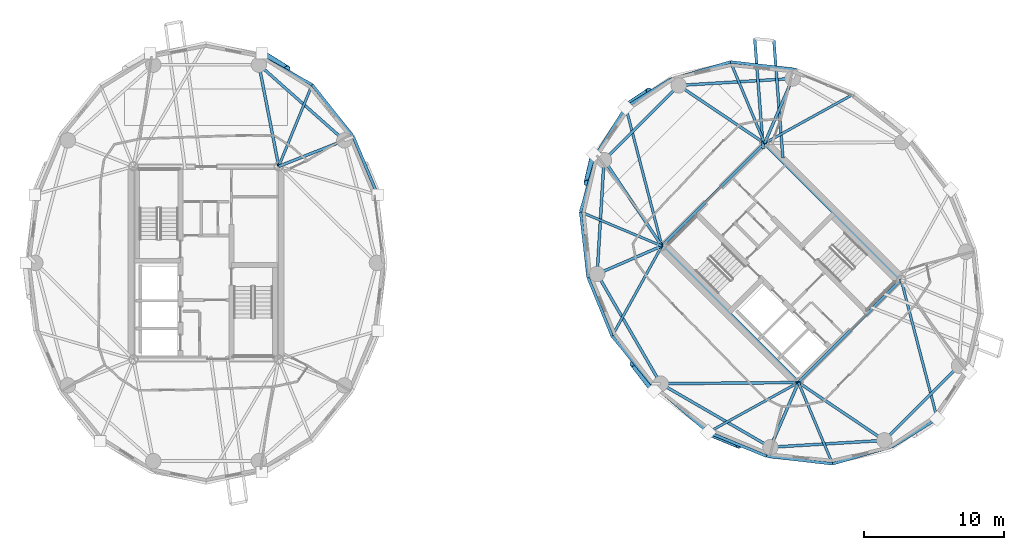
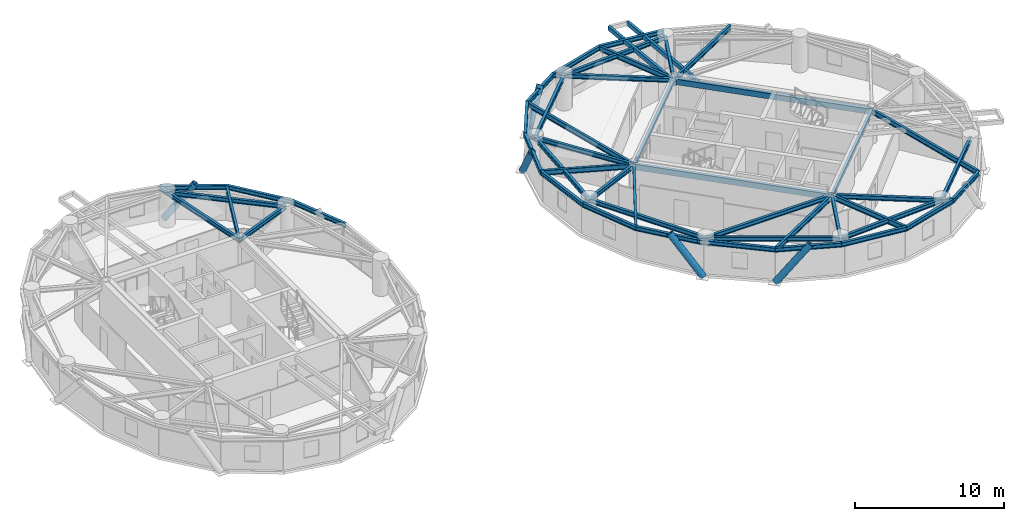
# One storey, part 4 of 14: 48 beams, 5 members.
"""IFC4 building model written with IfcOpenShell, lengths in metres."""

import ifcopenshell
import ifcopenshell.guid

model = None  # the IFC model being written
_history = None  # IfcOwnerHistory: only IFC2X3 demands one
_inside = {}  # id of a spatial element -> (the spatial element, [elements in it])
_under = {}  # id of a project, library or spatial element -> (it, [spatial elements below it])
_declared = {}  # id of a project -> (the project, [libraries it declares])
_typed = {}  # id of a type object -> (the type object, [elements of that type])
_made_of = {}  # id of a material, layer set ... -> (it, [elements and type objects made of it])


def new_model(schema):
    """Start an empty IFC model of exactly this schema.

    Asked for "IFC4X3", IfcOpenShell would pick the latest addendum, in which some entities
    have other attributes; the version numbers below select the first issue.
    IFC2X3 requires an IfcOwnerHistory on every rooted entity: one is made here for all.
    """
    global model, _history
    if schema == "IFC4X3":
        model = ifcopenshell.file(schema_version=(4, 3, 0, 0))
    else:
        model = ifcopenshell.file(schema=schema)
    _inside.clear()
    _under.clear()
    _declared.clear()
    _typed.clear()
    _made_of.clear()
    _history = None
    if model.schema == "IFC2X3":
        org = make("IfcOrganization", Name="unknown")
        user = make(
            "IfcPersonAndOrganization",
            ThePerson=make("IfcPerson", FamilyName="unknown"),
            TheOrganization=org,
        )
        app = make(
            "IfcApplication",
            ApplicationDeveloper=org,
            Version="unknown",
            ApplicationFullName="unknown",
            ApplicationIdentifier="unknown",
        )
        _history = make(
            "IfcOwnerHistory",
            OwningUser=user,
            OwningApplication=app,
            ChangeAction="ADDED",
            CreationDate=0,
        )
    return model


def make(cls, **values):
    """One entity of the class cls with the attributes given. An attribute that is None is left unset."""
    return model.create_entity(
        cls, **{name: value for name, value in values.items() if value is not None}
    )


def rooted(cls, **values):
    """An entity with a GlobalId (a new one), such as an element, a storey or a relation."""
    return make(cls, GlobalId=ifcopenshell.guid.new(), OwnerHistory=_history, **values)


def si_unit(unit_type, name, prefix=None):
    """IfcSIUnit, for example si_unit("LENGTHUNIT", "METRE", prefix="MILLI")."""
    return make("IfcSIUnit", UnitType=unit_type, Prefix=prefix, Name=name)


def assignment(units):
    """IfcUnitAssignment: the units of a project."""
    return None if units is None else make("IfcUnitAssignment", Units=units)


def point(xyz):
    """IfcCartesianPoint."""
    return None if xyz is None else make("IfcCartesianPoint", Coordinates=xyz)


def direction(xyz):
    """IfcDirection."""
    return None if xyz is None else make("IfcDirection", DirectionRatios=xyz)


def frame(location, z_axis=None, x_axis=None):
    """IfcAxis2Placement3D, a coordinate frame: its origin and axes. An axis left out is left unset."""
    return make(
        "IfcAxis2Placement3D",
        Location=point(location),
        Axis=direction(z_axis),
        RefDirection=direction(x_axis),
    )


def frame_2d(location, x_axis=None):
    """IfcAxis2Placement2D, a coordinate frame in the plane: its origin and x axis."""
    return make(
        "IfcAxis2Placement2D", Location=point(location), RefDirection=direction(x_axis)
    )


def origin():
    """The frame at (0, 0, 0) with its axes left unset."""
    return frame((0.0, 0.0, 0.0))


def origin_2d():
    """The frame at (0, 0) in the plane with its x axis left unset."""
    return frame_2d((0.0, 0.0))


def place(relative_to, where):
    """IfcLocalPlacement: puts the frame where relative to a parent placement (None: the world)."""
    return make(
        "IfcLocalPlacement", PlacementRelTo=relative_to, RelativePlacement=where
    )


def context(
    kind, dimensions, precision=None, world=None, true_north=None, identifier=None
):
    """IfcGeometricRepresentationContext, for example the 3D "Model" context."""
    return make(
        "IfcGeometricRepresentationContext",
        ContextIdentifier=identifier,
        ContextType=kind,
        CoordinateSpaceDimension=dimensions,
        Precision=precision,
        WorldCoordinateSystem=world,
        TrueNorth=true_north,
    )


def subcontext(parent, identifier, kind, view, scale=None):
    """IfcGeometricRepresentationSubContext, for example "Body" below "Model"."""
    return make(
        "IfcGeometricRepresentationSubContext",
        ContextIdentifier=identifier,
        ContextType=kind,
        ParentContext=parent,
        TargetScale=scale,
        TargetView=view,
    )


def project(units=None, contexts=None):
    """IfcProject with its units and contexts."""
    return rooted(
        "IfcProject",
        Name="project",
        RepresentationContexts=contexts,
        UnitsInContext=assignment(units),
    )


def spatial(cls, under=None, at=None, **own):
    """A site, building, storey or space (cls), placed at a placement, below another one or the project."""
    s = rooted(cls, ObjectPlacement=at, **own)
    if under is not None:
        _under.setdefault(under.id(), (under, []))[1].append(s)
    return s


def profile(cls, at=None, kind="AREA", **sizes):
    """A parametric profile (cls). Its sizes go by their IFC names, for example OverallWidth=200.0."""
    return make(cls, ProfileType=kind, Position=at, **sizes)


def hollow_rectangle(**sizes):
    """IfcRectangleHollowProfileDef."""
    return profile("IfcRectangleHollowProfileDef", **sizes)


def hollow_circle(**sizes):
    """IfcCircleHollowProfileDef."""
    return profile("IfcCircleHollowProfileDef", **sizes)


def i_section(**sizes):
    """IfcIShapeProfileDef."""
    return profile("IfcIShapeProfileDef", **sizes)


def extrude(swept, where, along, depth):
    """IfcExtrudedAreaSolid: the profile swept, set in the frame where, extruded along a direction by depth."""
    return make(
        "IfcExtrudedAreaSolid",
        SweptArea=swept,
        Position=where,
        ExtrudedDirection=direction(along),
        Depth=depth,
    )


def shape(context_of_items, identifier, shape_type, items):
    """IfcShapeRepresentation: the items that make up one representation, for example the "Body"."""
    return make(
        "IfcShapeRepresentation",
        ContextOfItems=context_of_items,
        RepresentationIdentifier=identifier,
        RepresentationType=shape_type,
        Items=items,
    )


def material(Name=None, Category=None):
    """IfcMaterial."""
    return make("IfcMaterial", Name=Name, Category=Category)


def material_profile(
    of_material, cross_section, Name=None, Category=None, Priority=None
):
    """IfcMaterialProfile: a cross section and its material."""
    return make(
        "IfcMaterialProfile",
        Name=Name,
        Material=of_material,
        Profile=cross_section,
        Priority=Priority,
        Category=Category,
    )


def profile_set(profiles, Name=None, composite=None):
    """IfcMaterialProfileSet."""
    return make(
        "IfcMaterialProfileSet",
        Name=Name,
        MaterialProfiles=profiles,
        CompositeProfile=composite,
    )


def made_of(thing, what):
    """Note that an element or type object is made of a material, layer set ...; save() writes the relation."""
    if what is not None:
        _made_of.setdefault(what.id(), (what, []))[1].append(thing)
    return thing


def type_object(cls, material=None, **own):
    """A type object (cls), such as IfcWallType, which elements share."""
    return made_of(rooted(cls, **own), material)


def element(
    cls,
    number,
    at=None,
    inside=None,
    cuts=None,
    type_object=None,
    material=None,
    context=None,
    identifier="Body",
    shape_type=None,
    held_by="IfcProductDefinitionShape",
    body=None,
    shapes=None,
    **own,
):
    """One element of the class cls, such as IfcWall. Its Tag is "e" and its number.

    at: its placement. inside: the storey or other place that contains it. cuts: it is an
    opening in that element (IfcRelVoidsElement). A single representation is given by context,
    identifier, shape_type and body (its items); several are given by shapes. held_by: the class
    of the entity that holds the representations. save() writes the other relations.
    """
    e = rooted(cls, Tag="e%d" % number, ObjectPlacement=at, **own)
    if body is not None:
        shapes = [shape(context, identifier, shape_type, body)]
    if shapes is not None:
        e.Representation = make(held_by, Representations=shapes)
    if inside is not None:
        _inside.setdefault(inside.id(), (inside, []))[1].append(e)
    if cuts is not None:
        rooted(
            "IfcRelVoidsElement", RelatingBuildingElement=cuts, RelatedOpeningElement=e
        )
    if type_object is not None:
        _typed.setdefault(type_object.id(), (type_object, []))[1].append(e)
    return made_of(e, material)


def aggregate(whole, parts):
    """IfcRelAggregates: a whole, such as a stair, and the parts it consists of."""
    return rooted("IfcRelAggregates", RelatingObject=whole, RelatedObjects=parts)


def save(model, path):
    """Write the relations noted so far, then the file.

    IfcRelAggregates (storeys below a building ...), IfcRelContainedInSpatialStructure (elements
    in a storey), IfcRelDefinesByType, IfcRelAssociatesMaterial and IfcRelDeclares: one each for
    every whole, place, type object, material and project.
    """
    for whole, parts in _under.values():
        aggregate(whole, parts)
    for where, things in _inside.values():
        rooted(
            "IfcRelContainedInSpatialStructure",
            RelatedElements=things,
            RelatingStructure=where,
        )
    for kind, things in _typed.values():
        rooted("IfcRelDefinesByType", RelatedObjects=things, RelatingType=kind)
    for what, things in _made_of.values():
        rooted("IfcRelAssociatesMaterial", RelatedObjects=things, RelatingMaterial=what)
    for by, libraries in _declared.values():
        rooted("IfcRelDeclares", RelatingContext=by, RelatedDefinitions=libraries)
    model.write(path)


model = new_model("IFC4")

# Units and contexts
model_context = context("Model", 3, precision=1e-05, world=origin(), true_north=direction((0.0, 1.0)))
body_context = subcontext(model_context, "Body", "Model", "MODEL_VIEW")
ifc_project = project(units=[si_unit("LENGTHUNIT", "METRE"), si_unit("AREAUNIT", "SQUARE_METRE"), si_unit("VOLUMEUNIT", "CUBIC_METRE"), si_unit("PLANEANGLEUNIT", "RADIAN"), si_unit("MASSUNIT", "GRAM", prefix="KILO")], contexts=[model_context])

# Site, building, storey
site_placement = place(None, origin())
site = spatial("IfcSite", under=ifc_project, at=site_placement, CompositionType="ELEMENT")
building_placement = place(site_placement, origin())
building = spatial("IfcBuilding", under=site, at=building_placement, Name="Cununo Teusaquillo Station Towers", CompositionType="ELEMENT")
storey_placement = place(building_placement, frame((0.0, 0.0, 202.47998046875)))
storey = spatial("IfcBuildingStorey", under=building, at=storey_placement, Name="L64", CompositionType="ELEMENT", Elevation=202.47998046875)

# Beams
ifc_material_1 = material(Name="Steel EN 10025-2 S355J2", Category="steel")
ifc_material_profile_1 = material_profile(ifc_material_1, hollow_rectangle(XDim=0.199951171875, YDim=0.35009765625, WallThickness=0.013916015625, at=origin_2d()), Name="RHS 350x200x14")
ifc_profile_set_1 = profile_set([ifc_material_profile_1], Name="Steel EN 10025-2 S355J2")
beam_type_1 = type_object("IfcBeamType", Name="BM-BAL-CANT", PredefinedType="BEAM", material=ifc_profile_set_1)
beam_1_placement = place(storey_placement, frame((57.599853515625, 31.966064453125, 2.52490234375), z_axis=(-0.076963106063, 0.997033941401, 0.0), x_axis=(-0.997033941401, -0.076963106063, 0.0)))
element("IfcBeam", 1, at=beam_1_placement, inside=storey, type_object=beam_type_1, Name="L64 Tower B Balcony Cantilever Bracket 1A", PredefinedType="BEAM", context=body_context, shape_type="SweptSolid", body=[
    extrude(hollow_rectangle(XDim=0.199951171875, YDim=0.35009765625, WallThickness=0.013916015625, at=origin_2d()), origin(), (0.0, 0.0, 1.0), 8.403076171875),
])
beam_2_placement = place(storey_placement, frame((56.1982421875, 32.602783203125, 2.52490234375), z_axis=(-0.076982450804, 0.997032447952, 0.0), x_axis=(-0.997032447952, -0.076982450804, 0.0)))
element("IfcBeam", 2, at=beam_2_placement, inside=storey, type_object=beam_type_1, Name="L64 Tower B Balcony Cantilever Bracket 1B", PredefinedType="BEAM", context=body_context, shape_type="SweptSolid", body=[
    extrude(hollow_rectangle(XDim=0.199951171875, YDim=0.35009765625, WallThickness=0.013916015625, at=origin_2d()), origin(), (0.0, 0.0, 1.0), 7.89990234375),
])
ifc_material_2 = material(Name="Steel EN 10025-2 S355J2", Category="steel")
ifc_material_profile_2 = material_profile(ifc_material_2, hollow_rectangle(XDim=0.25, YDim=0.449951171875, WallThickness=0.01611328125, at=origin_2d()), Name="RHS 450x250x16")
ifc_profile_set_2 = profile_set([ifc_material_profile_2], Name="Steel EN 10025-2 S355J2")
beam_type_2 = type_object("IfcBeamType", Name="BM-COUP-1", PredefinedType="USERDEFINED", material=ifc_profile_set_2)
for number, where, z_axis, x_axis, name in (
    (3, (58.70556640625, 15.975830078125, 2.47509765625), (-0.707106781187, 0.707106781187, 0.0), (-0.707106781187, -0.707106781187, 0.0), "L64 Tower B Core Beam 1"),
    (4, (66.024169921875, 23.29443359375, 2.47509765625), (-0.707106781187, 0.707106781187, 0.0), (-0.707106781187, -0.707106781187, 0.0), "L64 Tower B Core Beam 2"),
):
    element("IfcBeam", number, at=place(storey_placement, frame(where, z_axis=z_axis, x_axis=x_axis)), inside=storey, type_object=beam_type_2, Name=name, ObjectType="COUPLING BEAM", PredefinedType="USERDEFINED", context=body_context, shape_type="SweptSolid", body=[
        extrude(hollow_rectangle(XDim=0.25, YDim=0.449951171875, WallThickness=0.01611328125, at=origin_2d()), origin(), (0.0, 0.0, 1.0), 13.760009765625),
    ])
ifc_material_3 = material(Name="Steel ASTM A572 Grade 50", Category="steel")
ifc_material_profile_3 = material_profile(ifc_material_3, i_section(OverallWidth=0.180908203125, OverallDepth=0.4169921875, WebThickness=0.010986328125, FlangeThickness=0.018310546875, FilletRadius=0.012939453125, at=origin_2d()), Name="W16X57")
ifc_profile_set_3 = profile_set([ifc_material_profile_3], Name="Steel ASTM A572 Grade 50")
beam_type_3 = type_object("IfcBeamType", Name="BM-JOIST-1", PredefinedType="JOIST", material=ifc_profile_set_3)
beam_3_placement = place(storey_placement, frame((21.675048828125, 31.3798828125, 2.491455078125), z_axis=(0.378576847217, 0.925569862707, 0.0), x_axis=(-0.925569862707, 0.378576847217, 0.0)))
element("IfcBeam", 5, at=beam_3_placement, inside=storey, type_object=beam_type_3, Name="L64 Tower A Radial Spandrel Joist V03", PredefinedType="JOIST", context=body_context, shape_type="SweptSolid", body=[
    extrude(i_section(OverallWidth=0.180908203125, OverallDepth=0.4169921875, WebThickness=0.010986328125, FlangeThickness=0.018310546875, FilletRadius=0.012939453125, at=origin_2d()), origin(), (0.0, 0.0, 1.0), 6.28125),
])
beam_4_placement = place(storey_placement, frame((56.29443359375, 33.024169921875, 2.491455078125), z_axis=(0.8753153358, 0.483552544108, 0.0), x_axis=(-0.483552544108, 0.8753153358, 0.0)))
element("IfcBeam", 6, at=beam_4_placement, inside=storey, type_object=beam_type_3, Name="L64 Tower B Radial Spandrel Joist V01", PredefinedType="JOIST", context=body_context, shape_type="SweptSolid", body=[
    extrude(i_section(OverallWidth=0.180908203125, OverallDepth=0.4169921875, WebThickness=0.010986328125, FlangeThickness=0.018310546875, FilletRadius=0.012939453125, at=origin_2d()), origin(), (0.0, 0.0, 1.0), 7.3330078125),
])
beam_5_placement = place(storey_placement, frame((56.29443359375, 33.024169921875, 2.491455078125), z_axis=(-0.386786389381, 0.922169338565, 0.0), x_axis=(-0.922169338565, -0.386786389381, 0.0)))
element("IfcBeam", 7, at=beam_5_placement, inside=storey, type_object=beam_type_3, Name="L64 Tower B Radial Spandrel Joist V03", PredefinedType="JOIST", context=body_context, shape_type="SweptSolid", body=[
    extrude(i_section(OverallWidth=0.180908203125, OverallDepth=0.4169921875, WebThickness=0.010986328125, FlangeThickness=0.018310546875, FilletRadius=0.012939453125, at=origin_2d()), origin(), (0.0, 0.0, 1.0), 6.281005859375),
])
beam_6_placement = place(storey_placement, frame((48.975830078125, 25.70556640625, 2.491455078125), z_axis=(-0.251559992432, 0.967841707206, 0.0), x_axis=(-0.967841707206, -0.251559992432, 0.0)))
element("IfcBeam", 8, at=beam_6_placement, inside=storey, type_object=beam_type_3, Name="L64 Tower B Radial Spandrel Joist V05", PredefinedType="JOIST", context=body_context, shape_type="SweptSolid", body=[
    extrude(i_section(OverallWidth=0.180908203125, OverallDepth=0.4169921875, WebThickness=0.010986328125, FlangeThickness=0.018310546875, FilletRadius=0.012939453125, at=origin_2d()), origin(), (0.0, 0.0, 1.0), 10.217529296875),
])
beam_7_placement = place(storey_placement, frame((48.975830078125, 25.70556640625, 2.491455078125), z_axis=(-0.922169338565, 0.386786389381, 0.0), x_axis=(-0.386786389381, -0.922169338565, 0.0)))
element("IfcBeam", 9, at=beam_7_placement, inside=storey, type_object=beam_type_3, Name="L64 Tower B Radial Spandrel Joist V07", PredefinedType="JOIST", context=body_context, shape_type="SweptSolid", body=[
    extrude(i_section(OverallWidth=0.180908203125, OverallDepth=0.4169921875, WebThickness=0.010986328125, FlangeThickness=0.018310546875, FilletRadius=0.012939453125, at=origin_2d()), origin(), (0.0, 0.0, 1.0), 6.281005859375),
])
for number, where, z_axis, x_axis, name in (
    (10, (48.975830078125, 25.70556640625, 2.491455078125), (-0.483552544108, -0.8753153358, 0.0), (0.8753153358, -0.483552544108, 0.0), "L64 Tower B Radial Spandrel Joist V09"),
    (11, (58.70556640625, 15.975830078125, 2.491455078125), (-0.8753153358, -0.483552544108, 0.0), (0.483552544108, -0.8753153358, 0.0), "L64 Tower B Radial Spandrel Joist V11"),
):
    element("IfcBeam", number, at=place(storey_placement, frame(where, z_axis=z_axis, x_axis=x_axis)), inside=storey, type_object=beam_type_3, Name=name, PredefinedType="JOIST", context=body_context, shape_type="SweptSolid", body=[
        extrude(i_section(OverallWidth=0.180908203125, OverallDepth=0.4169921875, WebThickness=0.010986328125, FlangeThickness=0.018310546875, FilletRadius=0.012939453125, at=origin_2d()), origin(), (0.0, 0.0, 1.0), 7.3330078125),
    ])
beam_8_placement = place(storey_placement, frame((58.70556640625, 15.975830078125, 2.491455078125), z_axis=(0.386786389381, -0.922169338565, 0.0), x_axis=(0.922169338565, 0.386786389381, 0.0)))
element("IfcBeam", 12, at=beam_8_placement, inside=storey, type_object=beam_type_3, Name="L64 Tower B Radial Spandrel Joist V13", PredefinedType="JOIST", context=body_context, shape_type="SweptSolid", body=[
    extrude(i_section(OverallWidth=0.180908203125, OverallDepth=0.4169921875, WebThickness=0.010986328125, FlangeThickness=0.018310546875, FilletRadius=0.012939453125, at=origin_2d()), origin(), (0.0, 0.0, 1.0), 6.281005859375),
])
beam_9_placement = place(storey_placement, frame((66.024169921875, 23.29443359375, 2.491455078125), z_axis=(0.251559992432, -0.967841707206, 0.0), x_axis=(0.967841707206, 0.251559992432, 0.0)))
element("IfcBeam", 13, at=beam_9_placement, inside=storey, type_object=beam_type_3, Name="L64 Tower B Radial Spandrel Joist V15", PredefinedType="JOIST", context=body_context, shape_type="SweptSolid", body=[
    extrude(i_section(OverallWidth=0.180908203125, OverallDepth=0.4169921875, WebThickness=0.010986328125, FlangeThickness=0.018310546875, FilletRadius=0.012939453125, at=origin_2d()), origin(), (0.0, 0.0, 1.0), 10.217529296875),
])
ifc_material_4 = material(Name="Steel ASTM A572 Grade 50", Category="steel")
ifc_material_profile_4 = material_profile(ifc_material_4, i_section(OverallWidth=0.2041015625, OverallDepth=0.35009765625, WebThickness=0.008544921875, FlangeThickness=0.01513671875, FilletRadius=0.011962890625, at=origin_2d()), Name="W14X48")
ifc_profile_set_4 = profile_set([ifc_material_profile_4], Name="Steel ASTM A572 Grade 50")
beam_type_4 = type_object("IfcBeamType", Name="BM-LINTEL-1", PredefinedType="LINTEL", material=ifc_profile_set_4)
for number, where, z_axis, x_axis, name in (
    (14, (58.70556640625, 15.975830078125, 2.52490234375), (0.707106781187, 0.707106781187, 0.0), (-0.707106781187, 0.707106781187, 0.0), "L64 Tower B Core Beam 3"),
    (15, (48.975830078125, 25.70556640625, 2.52490234375), (0.707106781187, 0.707106781187, 0.0), (-0.707106781187, 0.707106781187, 0.0), "L64 Tower B Core Beam 4"),
):
    element("IfcBeam", number, at=place(storey_placement, frame(where, z_axis=z_axis, x_axis=x_axis)), inside=storey, type_object=beam_type_4, Name=name, PredefinedType="LINTEL", context=body_context, shape_type="SweptSolid", body=[
        extrude(i_section(OverallWidth=0.2041015625, OverallDepth=0.35009765625, WebThickness=0.008544921875, FlangeThickness=0.01513671875, FilletRadius=0.011962890625, at=origin_2d()), origin(), (0.0, 0.0, 1.0), 10.35009765625),
    ])
ifc_material_5 = material(Name="Steel ASTM A572 Grade 50", Category="steel")
ifc_material_profile_5 = material_profile(ifc_material_5, i_section(OverallWidth=0.2041015625, OverallDepth=0.35009765625, WebThickness=0.008544921875, FlangeThickness=0.01513671875, FilletRadius=0.011962890625, at=origin_2d()), Name="W14X48")
ifc_profile_set_5 = profile_set([ifc_material_profile_5], Name="Steel ASTM A572 Grade 50")
beam_type_5 = type_object("IfcBeamType", Name="BM-RAD-G3", PredefinedType="BEAM", material=ifc_profile_set_5)
beam_10_placement = place(storey_placement, frame((21.675048828125, 31.3798828125, 2.52490234375), z_axis=(0.929864104313, 0.367903176814, 0.0), x_axis=(-0.367903176814, 0.929864104313, 0.0)))
element("IfcBeam", 16, at=beam_10_placement, inside=storey, type_object=beam_type_5, Name="L64 Tower A Radial Girder 02A", PredefinedType="BEAM", context=body_context, shape_type="SweptSolid", body=[
    extrude(i_section(OverallWidth=0.2041015625, OverallDepth=0.35009765625, WebThickness=0.008544921875, FlangeThickness=0.01513671875, FilletRadius=0.011962890625, at=origin_2d()), origin(), (0.0, 0.0, 1.0), 5.02490234375),
])
beam_11_placement = place(storey_placement, frame((21.675048828125, 31.3798828125, 2.52490234375), z_axis=(-0.191548487699, 0.981483151593, 0.0), x_axis=(-0.981483151593, -0.191548487699, 0.0)))
element("IfcBeam", 17, at=beam_11_placement, inside=storey, type_object=beam_type_5, Name="L64 Tower A Continuous Overhanging Radial Girder 03", PredefinedType="BEAM", context=body_context, shape_type="SweptSolid", body=[
    extrude(i_section(OverallWidth=0.2041015625, OverallDepth=0.35009765625, WebThickness=0.008544921875, FlangeThickness=0.01513671875, FilletRadius=0.011962890625, at=origin_2d()), origin(), (0.0, 0.0, 1.0), 8.1240234375),
])
beam_12_placement = place(storey_placement, frame((56.29443359375, 33.024169921875, 2.52490234375), z_axis=(0.397346986387, 0.917668443616, 0.0), x_axis=(-0.917668443616, 0.397346986387, 0.0)))
element("IfcBeam", 18, at=beam_12_placement, inside=storey, type_object=beam_type_5, Name="L64 Tower B Radial Girder 02A", PredefinedType="BEAM", context=body_context, shape_type="SweptSolid", body=[
    extrude(i_section(OverallWidth=0.2041015625, OverallDepth=0.35009765625, WebThickness=0.008544921875, FlangeThickness=0.01513671875, FilletRadius=0.011962890625, at=origin_2d()), origin(), (0.0, 0.0, 1.0), 5.02490234375),
])
for number, where, z_axis, x_axis, name in (
    (19, (56.29443359375, 33.024169921875, 2.52490234375), (-0.829456817529, 0.558570844079, 0.0), (-0.558570844079, -0.829456817529, 0.0), "L64 Tower B Continuous Overhanging Radial Girder 03"),
    (20, (48.975830078125, 25.70556640625, 2.52490234375), (-0.558570844079, 0.829456817529, 0.0), (-0.829456817529, -0.558570844079, 0.0), "L64 Tower B Continuous Overhanging Radial Girder 04"),
):
    element("IfcBeam", number, at=place(storey_placement, frame(where, z_axis=z_axis, x_axis=x_axis)), inside=storey, type_object=beam_type_5, Name=name, PredefinedType="BEAM", context=body_context, shape_type="SweptSolid", body=[
        extrude(i_section(OverallWidth=0.2041015625, OverallDepth=0.35009765625, WebThickness=0.008544921875, FlangeThickness=0.01513671875, FilletRadius=0.011962890625, at=origin_2d()), origin(), (0.0, 0.0, 1.0), 8.1240234375),
    ])
beam_13_placement = place(storey_placement, frame((48.975830078125, 25.70556640625, 2.52490234375), z_axis=(-0.917665176837, -0.397354530893, 0.0), x_axis=(0.397354530893, -0.917665176837, 0.0)))
element("IfcBeam", 21, at=beam_13_placement, inside=storey, type_object=beam_type_5, Name="L64 Tower B Continuous Overhanging Radial Girder 05", PredefinedType="BEAM", context=body_context, shape_type="SweptSolid", body=[
    extrude(i_section(OverallWidth=0.2041015625, OverallDepth=0.35009765625, WebThickness=0.008544921875, FlangeThickness=0.01513671875, FilletRadius=0.011962890625, at=origin_2d()), origin(), (0.0, 0.0, 1.0), 5.716552734375),
])
beam_14_placement = place(storey_placement, frame((58.70556640625, 15.975830078125, 2.52490234375), z_axis=(-0.999964431382, -0.008434214327, 0.0), x_axis=(0.008434214327, -0.999964431382, 0.0)))
element("IfcBeam", 22, at=beam_14_placement, inside=storey, type_object=beam_type_5, Name="L64 Tower B Radial Girder 06A", PredefinedType="BEAM", context=body_context, shape_type="SweptSolid", body=[
    extrude(i_section(OverallWidth=0.2041015625, OverallDepth=0.35009765625, WebThickness=0.008544921875, FlangeThickness=0.01513671875, FilletRadius=0.011962890625, at=origin_2d()), origin(), (0.0, 0.0, 1.0), 9.812744140625),
])
beam_15_placement = place(storey_placement, frame((58.70556640625, 15.975830078125, 2.52490234375), z_axis=(-0.397354530893, -0.917665176837, 0.0), x_axis=(0.917665176837, -0.397354530893, 0.0)))
element("IfcBeam", 23, at=beam_15_placement, inside=storey, type_object=beam_type_5, Name="L64 Tower B Continuous Overhanging Radial Girder 07", PredefinedType="BEAM", context=body_context, shape_type="SweptSolid", body=[
    extrude(i_section(OverallWidth=0.2041015625, OverallDepth=0.35009765625, WebThickness=0.008544921875, FlangeThickness=0.01513671875, FilletRadius=0.011962890625, at=origin_2d()), origin(), (0.0, 0.0, 1.0), 5.716552734375),
])
beam_16_placement = place(storey_placement, frame((58.70556640625, 15.975830078125, 2.52490234375), z_axis=(0.829456817529, -0.558570844079, 0.0), x_axis=(0.558570844079, 0.829456817529, 0.0)))
element("IfcBeam", 24, at=beam_16_placement, inside=storey, type_object=beam_type_5, Name="L64 Tower B Continuous Overhanging Radial Girder 08", PredefinedType="BEAM", context=body_context, shape_type="SweptSolid", body=[
    extrude(i_section(OverallWidth=0.2041015625, OverallDepth=0.35009765625, WebThickness=0.008544921875, FlangeThickness=0.01513671875, FilletRadius=0.011962890625, at=origin_2d()), origin(), (0.0, 0.0, 1.0), 8.1240234375),
])
ifc_material_6 = material(Name="Steel ASTM A572 Grade 50", Category="steel")
ifc_material_profile_6 = material_profile(ifc_material_6, i_section(OverallWidth=0.2041015625, OverallDepth=0.35009765625, WebThickness=0.008544921875, FlangeThickness=0.01513671875, FilletRadius=0.011962890625, at=origin_2d()), Name="W14X48")
ifc_profile_set_6 = profile_set([ifc_material_profile_6], Name="Steel ASTM A572 Grade 50")
beam_type_6 = type_object("IfcBeamType", Name="BM-RING-Z4", PredefinedType="SPANDREL", material=ifc_profile_set_6)
beam_17_placement = place(storey_placement, frame((26.347412109375, 33.228515625, 2.52490234375), z_axis=(-0.74832120039, 0.66333655187, 0.0), x_axis=(-0.66333655187, -0.74832120039, 0.0)))
element("IfcBeam", 25, at=beam_17_placement, inside=storey, type_object=beam_type_6, Name="L64 Tower A Structural Column Ring Girder 02", PredefinedType="SPANDREL", context=body_context, shape_type="SweptSolid", body=[
    extrude(i_section(OverallWidth=0.2041015625, OverallDepth=0.35009765625, WebThickness=0.008544921875, FlangeThickness=0.01513671875, FilletRadius=0.011962890625, at=origin_2d()), origin(), (0.0, 0.0, 1.0), 8.1328125),
])
beam_18_placement = place(storey_placement, frame((28.72119140625, 29.348388671875, 2.52490234375), z_axis=(-0.386115454066, 0.922450462698, 0.0), x_axis=(-0.922450462698, -0.386115454066, 0.0)))
element("IfcBeam", 26, at=beam_18_placement, inside=storey, type_object=beam_type_6, Name="L64 Tower A Spandrel Ring Beam 02", PredefinedType="SPANDREL", context=body_context, shape_type="SweptSolid", body=[
    extrude(i_section(OverallWidth=0.2041015625, OverallDepth=0.35009765625, WebThickness=0.008544921875, FlangeThickness=0.01513671875, FilletRadius=0.011962890625, at=origin_2d()), origin(), (0.0, 0.0, 1.0), 4.482421875),
])
beam_19_placement = place(storey_placement, frame((26.990478515625, 33.483154296875, 2.52490234375), z_axis=(-0.620710872531, 0.784039547932, 0.0), x_axis=(-0.784039547932, -0.620710872531, 0.0)))
element("IfcBeam", 27, at=beam_19_placement, inside=storey, type_object=beam_type_6, Name="L64 Tower A Spandrel Ring Beam 03", PredefinedType="SPANDREL", context=body_context, shape_type="SweptSolid", body=[
    extrude(i_section(OverallWidth=0.2041015625, OverallDepth=0.35009765625, WebThickness=0.008544921875, FlangeThickness=0.01513671875, FilletRadius=0.011962890625, at=origin_2d()), origin(), (0.0, 0.0, 1.0), 4.732421875),
])
beam_20_placement = place(storey_placement, frame((24.052978515625, 37.193603515625, 2.52490234375), z_axis=(-0.876576300909, 0.481262910149, 0.0), x_axis=(-0.481262910149, -0.876576300909, 0.0)))
element("IfcBeam", 28, at=beam_20_placement, inside=storey, type_object=beam_type_6, Name="L64 Tower A Spandrel Ring Beam 04", PredefinedType="SPANDREL", context=body_context, shape_type="SweptSolid", body=[
    extrude(i_section(OverallWidth=0.2041015625, OverallDepth=0.35009765625, WebThickness=0.008544921875, FlangeThickness=0.01513671875, FilletRadius=0.011962890625, at=origin_2d()), origin(), (0.0, 0.0, 1.0), 4.488037109375),
])
beam_21_placement = place(storey_placement, frame((58.291015625, 37.63525390625, 2.52490234375), z_axis=(-0.998190567048, -0.06012979176, 0.0), x_axis=(0.06012979176, -0.998190567048, 0.0)))
element("IfcBeam", 29, at=beam_21_placement, inside=storey, type_object=beam_type_6, Name="L64 Tower B Structural Column Ring Girder 02", PredefinedType="SPANDREL", context=body_context, shape_type="SweptSolid", body=[
    extrude(i_section(OverallWidth=0.2041015625, OverallDepth=0.35009765625, WebThickness=0.008544921875, FlangeThickness=0.01513671875, FilletRadius=0.011962890625, at=origin_2d()), origin(), (0.0, 0.0, 1.0), 8.132568359375),
])
beam_22_placement = place(storey_placement, frame((50.173095703125, 37.146240234375, 2.52490234375), z_axis=(-0.707106781187, -0.707106781187, 0.0), x_axis=(0.707106781187, -0.707106781187, 0.0)))
element("IfcBeam", 30, at=beam_22_placement, inside=storey, type_object=beam_type_6, Name="L64 Tower B Structural Column Ring Girder 03", PredefinedType="SPANDREL", context=body_context, shape_type="SweptSolid", body=[
    extrude(i_section(OverallWidth=0.2041015625, OverallDepth=0.35009765625, WebThickness=0.008544921875, FlangeThickness=0.01513671875, FilletRadius=0.011962890625, at=origin_2d()), origin(), (0.0, 0.0, 1.0), 7.522705078125),
])
beam_23_placement = place(storey_placement, frame((44.853759765625, 31.826904296875, 2.52490234375), z_axis=(-0.06012979176, -0.998190567048, 0.0), x_axis=(0.998190567048, -0.06012979176, 0.0)))
element("IfcBeam", 31, at=beam_23_placement, inside=storey, type_object=beam_type_6, Name="L64 Tower B Structural Column Ring Girder 04", PredefinedType="SPANDREL", context=body_context, shape_type="SweptSolid", body=[
    extrude(i_section(OverallWidth=0.2041015625, OverallDepth=0.35009765625, WebThickness=0.008544921875, FlangeThickness=0.01513671875, FilletRadius=0.011962890625, at=origin_2d()), origin(), (0.0, 0.0, 1.0), 8.132568359375),
])
for number, where, z_axis, x_axis, name in (
    (32, (44.36474609375, 23.708984375, 2.52490234375), (0.501311121078, -0.865267103202, 0.0), (0.865267103202, 0.501311121078, 0.0), "L64 Tower B Structural Column Ring Girder 05"),
    (33, (48.89306640625, 15.89306640625, 2.52490234375), (0.865267103202, -0.501311121078, 0.0), (0.501311121078, 0.865267103202, 0.0), "L64 Tower B Structural Column Ring Girder 06"),
):
    element("IfcBeam", number, at=place(storey_placement, frame(where, z_axis=z_axis, x_axis=x_axis)), inside=storey, type_object=beam_type_6, Name=name, PredefinedType="SPANDREL", context=body_context, shape_type="SweptSolid", body=[
        extrude(i_section(OverallWidth=0.2041015625, OverallDepth=0.35009765625, WebThickness=0.008544921875, FlangeThickness=0.01513671875, FilletRadius=0.011962890625, at=origin_2d()), origin(), (0.0, 0.0, 1.0), 9.032958984375),
    ])
beam_24_placement = place(storey_placement, frame((56.708984375, 11.36474609375, 2.52490234375), z_axis=(0.998190567048, 0.06012979176, 0.0), x_axis=(-0.06012979176, 0.998190567048, 0.0)))
element("IfcBeam", 34, at=beam_24_placement, inside=storey, type_object=beam_type_6, Name="L64 Tower B Structural Column Ring Girder 07", PredefinedType="SPANDREL", context=body_context, shape_type="SweptSolid", body=[
    extrude(i_section(OverallWidth=0.2041015625, OverallDepth=0.35009765625, WebThickness=0.008544921875, FlangeThickness=0.01513671875, FilletRadius=0.011962890625, at=origin_2d()), origin(), (0.0, 0.0, 1.0), 8.132568359375),
])
beam_25_placement = place(storey_placement, frame((64.826904296875, 11.853759765625, 2.52490234375), z_axis=(0.707106781187, 0.707106781187, 0.0), x_axis=(-0.707106781187, 0.707106781187, 0.0)))
element("IfcBeam", 35, at=beam_25_placement, inside=storey, type_object=beam_type_6, Name="L64 Tower B Structural Column Ring Girder 08", PredefinedType="SPANDREL", context=body_context, shape_type="SweptSolid", body=[
    extrude(i_section(OverallWidth=0.2041015625, OverallDepth=0.35009765625, WebThickness=0.008544921875, FlangeThickness=0.01513671875, FilletRadius=0.011962890625, at=origin_2d()), origin(), (0.0, 0.0, 1.0), 7.522705078125),
])
beam_26_placement = place(storey_placement, frame((58.56591796875, 38.27001953125, 2.52490234375), z_axis=(-0.993313022334, 0.115452326356, 0.0), x_axis=(-0.115452326356, -0.993313022334, 0.0)))
element("IfcBeam", 36, at=beam_26_placement, inside=storey, type_object=beam_type_6, Name="L64 Tower B Spandrel Ring Beam 03", PredefinedType="SPANDREL", context=body_context, shape_type="SweptSolid", body=[
    extrude(i_section(OverallWidth=0.2041015625, OverallDepth=0.35009765625, WebThickness=0.008544921875, FlangeThickness=0.01513671875, FilletRadius=0.011962890625, at=origin_2d()), origin(), (0.0, 0.0, 1.0), 4.732666015625),
])
beam_27_placement = place(storey_placement, frame((53.864990234375, 38.81640625, 2.52490234375), z_axis=(-0.96014487762, -0.279502797802, 0.0), x_axis=(0.279502797802, -0.96014487762, 0.0)))
element("IfcBeam", 37, at=beam_27_placement, inside=storey, type_object=beam_type_6, Name="L64 Tower B Spandrel Ring Beam 04", PredefinedType="SPANDREL", context=body_context, shape_type="SweptSolid", body=[
    extrude(i_section(OverallWidth=0.2041015625, OverallDepth=0.35009765625, WebThickness=0.008544921875, FlangeThickness=0.01513671875, FilletRadius=0.011962890625, at=origin_2d()), origin(), (0.0, 0.0, 1.0), 4.488037109375),
])
for number, where, z_axis, x_axis, name in (
    (38, (49.555908203125, 37.56201171875, 2.52490234375), (-0.848175505099, -0.529715312739, 0.0), (0.529715312739, -0.848175505099, 0.0), "L64 Tower B Spandrel Ring Beam 05"),
    (39, (46.405517578125, 35.594482421875, 2.52490234375), (-0.529715312739, -0.848175505099, 0.0), (0.848175505099, -0.529715312739, 0.0), "L64 Tower B Spandrel Ring Beam 06"),
):
    element("IfcBeam", number, at=place(storey_placement, frame(where, z_axis=z_axis, x_axis=x_axis)), inside=storey, type_object=beam_type_6, Name=name, PredefinedType="SPANDREL", context=body_context, shape_type="SweptSolid", body=[
        extrude(i_section(OverallWidth=0.2041015625, OverallDepth=0.35009765625, WebThickness=0.008544921875, FlangeThickness=0.01513671875, FilletRadius=0.011962890625, at=origin_2d()), origin(), (0.0, 0.0, 1.0), 3.71435546875),
    ])
beam_28_placement = place(storey_placement, frame((44.43798828125, 32.444091796875, 2.52490234375), z_axis=(-0.279502797802, -0.96014487762, 0.0), x_axis=(0.96014487762, -0.279502797802, 0.0)))
element("IfcBeam", 40, at=beam_28_placement, inside=storey, type_object=beam_type_6, Name="L64 Tower B Spandrel Ring Beam 07", PredefinedType="SPANDREL", context=body_context, shape_type="SweptSolid", body=[
    extrude(i_section(OverallWidth=0.2041015625, OverallDepth=0.35009765625, WebThickness=0.008544921875, FlangeThickness=0.01513671875, FilletRadius=0.011962890625, at=origin_2d()), origin(), (0.0, 0.0, 1.0), 4.488037109375),
])
beam_29_placement = place(storey_placement, frame((43.18359375, 28.135009765625, 2.52490234375), z_axis=(0.115452326356, -0.993313022334, 0.0), x_axis=(0.993313022334, 0.115452326356, 0.0)))
element("IfcBeam", 41, at=beam_29_placement, inside=storey, type_object=beam_type_6, Name="L64 Tower B Spandrel Ring Beam 08", PredefinedType="SPANDREL", context=body_context, shape_type="SweptSolid", body=[
    extrude(i_section(OverallWidth=0.2041015625, OverallDepth=0.35009765625, WebThickness=0.008544921875, FlangeThickness=0.01513671875, FilletRadius=0.011962890625, at=origin_2d()), origin(), (0.0, 0.0, 1.0), 4.732666015625),
])
beam_30_placement = place(storey_placement, frame((43.72998046875, 23.43408203125, 2.52490234375), z_axis=(0.379275405388, -0.925283830437, 0.0), x_axis=(0.925283830437, 0.379275405388, 0.0)))
element("IfcBeam", 42, at=beam_30_placement, inside=storey, type_object=beam_type_6, Name="L64 Tower B Spandrel Ring Beam 09", PredefinedType="SPANDREL", context=body_context, shape_type="SweptSolid", body=[
    extrude(i_section(OverallWidth=0.2041015625, OverallDepth=0.35009765625, WebThickness=0.008544921875, FlangeThickness=0.01513671875, FilletRadius=0.011962890625, at=origin_2d()), origin(), (0.0, 0.0, 1.0), 4.482177734375),
])
beam_31_placement = place(storey_placement, frame((45.429931640625, 19.286865234375, 2.52490234375), z_axis=(0.637524682095, -0.770429931739, 0.0), x_axis=(0.770429931739, 0.637524682095, 0.0)))
element("IfcBeam", 43, at=beam_31_placement, inside=storey, type_object=beam_type_6, Name="L64 Tower B Spandrel Ring Beam 10", PredefinedType="SPANDREL", context=body_context, shape_type="SweptSolid", body=[
    extrude(i_section(OverallWidth=0.2041015625, OverallDepth=0.35009765625, WebThickness=0.008544921875, FlangeThickness=0.01513671875, FilletRadius=0.011962890625, at=origin_2d()), origin(), (0.0, 0.0, 1.0), 4.412353515625),
])
beam_32_placement = place(storey_placement, frame((48.242919921875, 15.887451171875, 2.52490234375), z_axis=(0.760065778291, -0.649846145385, 0.0), x_axis=(0.649846145385, 0.760065778291, 0.0)))
element("IfcBeam", 44, at=beam_32_placement, inside=storey, type_object=beam_type_6, Name="L64 Tower B Spandrel Ring Beam 11", PredefinedType="SPANDREL", context=body_context, shape_type="SweptSolid", body=[
    extrude(i_section(OverallWidth=0.2041015625, OverallDepth=0.35009765625, WebThickness=0.008544921875, FlangeThickness=0.01513671875, FilletRadius=0.011962890625, at=origin_2d()), origin(), (0.0, 0.0, 1.0), 5.320556640625),
])
beam_33_placement = place(storey_placement, frame((52.286865234375, 12.429931640625, 2.52490234375), z_axis=(0.925283830437, -0.379275405388, 0.0), x_axis=(0.379275405388, 0.925283830437, 0.0)))
element("IfcBeam", 45, at=beam_33_placement, inside=storey, type_object=beam_type_6, Name="L64 Tower B Spandrel Ring Beam 12", PredefinedType="SPANDREL", context=body_context, shape_type="SweptSolid", body=[
    extrude(i_section(OverallWidth=0.2041015625, OverallDepth=0.35009765625, WebThickness=0.008544921875, FlangeThickness=0.01513671875, FilletRadius=0.011962890625, at=origin_2d()), origin(), (0.0, 0.0, 1.0), 4.482177734375),
])
beam_34_placement = place(storey_placement, frame((56.43408203125, 10.72998046875, 2.52490234375), z_axis=(0.993313022334, -0.115452326356, 0.0), x_axis=(0.115452326356, 0.993313022334, 0.0)))
element("IfcBeam", 46, at=beam_34_placement, inside=storey, type_object=beam_type_6, Name="L64 Tower B Spandrel Ring Beam 13", PredefinedType="SPANDREL", context=body_context, shape_type="SweptSolid", body=[
    extrude(i_section(OverallWidth=0.2041015625, OverallDepth=0.35009765625, WebThickness=0.008544921875, FlangeThickness=0.01513671875, FilletRadius=0.011962890625, at=origin_2d()), origin(), (0.0, 0.0, 1.0), 4.732666015625),
])
beam_35_placement = place(storey_placement, frame((61.135009765625, 10.18359375, 2.52490234375), z_axis=(0.96014487762, 0.279502797802, 0.0), x_axis=(-0.279502797802, 0.96014487762, 0.0)))
element("IfcBeam", 47, at=beam_35_placement, inside=storey, type_object=beam_type_6, Name="L64 Tower B Spandrel Ring Beam 14", PredefinedType="SPANDREL", context=body_context, shape_type="SweptSolid", body=[
    extrude(i_section(OverallWidth=0.2041015625, OverallDepth=0.35009765625, WebThickness=0.008544921875, FlangeThickness=0.01513671875, FilletRadius=0.011962890625, at=origin_2d()), origin(), (0.0, 0.0, 1.0), 4.488037109375),
])
beam_36_placement = place(storey_placement, frame((65.444091796875, 11.43798828125, 2.52490234375), z_axis=(0.848175505099, 0.529715312739, 0.0), x_axis=(-0.529715312739, 0.848175505099, 0.0)))
element("IfcBeam", 48, at=beam_36_placement, inside=storey, type_object=beam_type_6, Name="L64 Tower B Spandrel Ring Beam 15", PredefinedType="SPANDREL", context=body_context, shape_type="SweptSolid", body=[
    extrude(i_section(OverallWidth=0.2041015625, OverallDepth=0.35009765625, WebThickness=0.008544921875, FlangeThickness=0.01513671875, FilletRadius=0.011962890625, at=origin_2d()), origin(), (0.0, 0.0, 1.0), 3.71435546875),
])

# Members
ifc_material_7 = material(Name="Steel EN 10025-2 S355J2", Category="steel")
ifc_material_profile_7 = material_profile(ifc_material_7, hollow_circle(Radius=0.25390625, WallThickness=0.01806640625, at=origin_2d()), Name="CHS 508x18")
ifc_profile_set_7 = profile_set([ifc_material_profile_7], Name="Steel EN 10025-2 S355J2")
member_type = type_object("IfcMemberType", Name="MBR-DIAG-Z4", PredefinedType="BRACE", material=ifc_profile_set_7)
member_1_placement = place(storey_placement, frame((20.470947265625, 39.422119140625, -0.139892578125), z_axis=(0.498333742466, -0.310032061152, 0.809656471708), x_axis=(0.528249968439, 0.849088906325, 0.0)))
element("IfcMember", 49, at=member_1_placement, inside=storey, type_object=member_type, Name="L64 Tower A Folded-Zigzag Diagrid Tube C03", PredefinedType="BRACE", context=body_context, shape_type="SweptSolid", body=[
    extrude(hollow_circle(Radius=0.25390625, WallThickness=0.01806640625, at=origin_2d()), origin(), (0.0, 0.0, 1.0), 3.593994140625),
])
member_2_placement = place(storey_placement, frame((46.405517578125, 35.594482421875, -0.139892578125), z_axis=(0.472769490674, 0.31961201796, 0.821180349657), x_axis=(-0.560065734295, 0.828448171746, 0.0)))
element("IfcMember", 50, at=member_2_placement, inside=storey, type_object=member_type, Name="L64 Tower B Folded-Zigzag Diagrid Tube C04", PredefinedType="BRACE", context=body_context, shape_type="SweptSolid", body=[
    extrude(hollow_circle(Radius=0.25390625, WallThickness=0.01806640625, at=origin_2d()), origin(), (0.0, 0.0, 1.0), 3.54345703125),
])
member_3_placement = place(storey_placement, frame((44.140625, 32.24365234375, -0.139892578125), z_axis=(-0.13314050396, -0.571621092256, 0.809643707499), x_axis=(0.973930772574, -0.226845432471, 0.0)))
element("IfcMember", 51, at=member_3_placement, inside=storey, type_object=member_type, Name="L64 Tower B Folded-Zigzag Diagrid Tube C06", PredefinedType="BRACE", context=body_context, shape_type="SweptSolid", body=[
    extrude(hollow_circle(Radius=0.25390625, WallThickness=0.01806640625, at=origin_2d()), origin(), (0.0, 0.0, 1.0), 3.593994140625),
])
member_4_placement = place(storey_placement, frame((48.413818359375, 15.413818359375, -0.139892578125), z_axis=(-0.392580503034, 0.509500240478, 0.765695797031), x_axis=(-0.792129910102, -0.610352525613, 0.0)))
element("IfcMember", 52, at=member_4_placement, inside=storey, type_object=member_type, Name="L64 Tower B Folded-Zigzag Diagrid Tube C09", PredefinedType="BRACE", context=body_context, shape_type="SweptSolid", body=[
    extrude(hollow_circle(Radius=0.25390625, WallThickness=0.01806640625, at=origin_2d()), origin(), (0.0, 0.0, 1.0), 3.80029296875),
])
member_5_placement = place(storey_placement, frame((52.286865234375, 12.429931640625, -0.139892578125), z_axis=(0.584015766292, -0.240125007618, 0.775413157896), x_axis=(0.380273025704, 0.924874275738, 0.0)))
element("IfcMember", 53, at=member_5_placement, inside=storey, type_object=member_type, Name="L64 Tower B Folded-Zigzag Diagrid Tube C11", PredefinedType="BRACE", context=body_context, shape_type="SweptSolid", body=[
    extrude(hollow_circle(Radius=0.25390625, WallThickness=0.01806640625, at=origin_2d()), origin(), (0.0, 0.0, 1.0), 3.752685546875),
])

save(model, "model.ifc")
